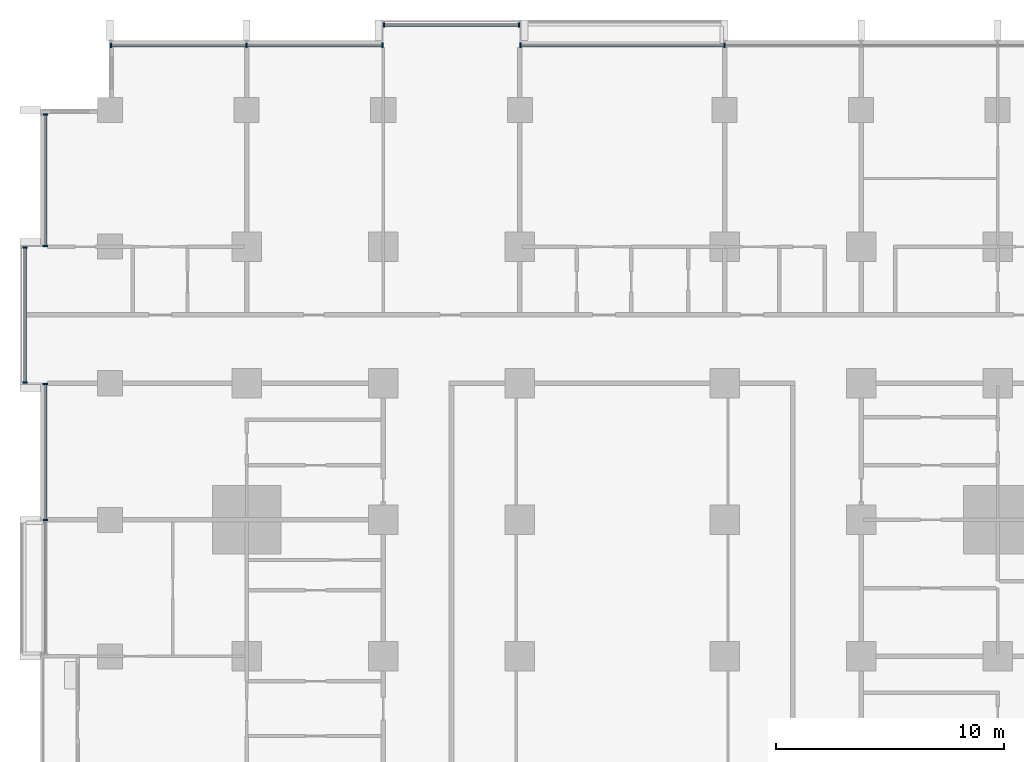
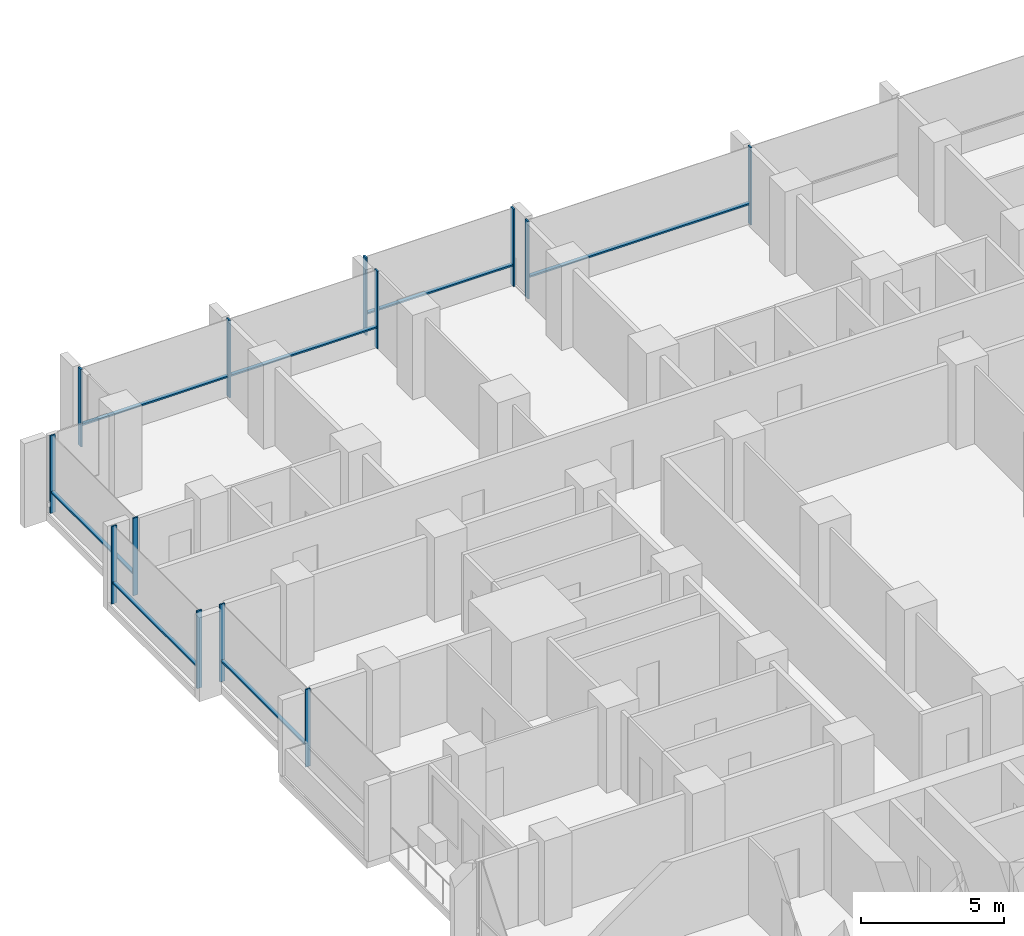
# One storey, part 4 of 18: 20 members, 6 elements without a shape of their own.
"""IFC4 building model written with IfcOpenShell, lengths in metres."""

from ifc_helpers import new_model, si_unit, direction, frame, origin, origin_2d, place, context, subcontext, project, spatial, rectangle, extrude, material, material_profile, profile_set, type_object, element, aggregate, save


model = new_model("IFC4")

# Units and contexts
model_context = context("Model", 3, precision=1e-05, world=origin(), true_north=direction((0.0, 1.0)))
body_context = subcontext(model_context, "Body", "Model", "MODEL_VIEW")
ifc_project = project(units=[si_unit("LENGTHUNIT", "METRE"), si_unit("AREAUNIT", "SQUARE_METRE"), si_unit("VOLUMEUNIT", "CUBIC_METRE"), si_unit("PLANEANGLEUNIT", "RADIAN"), si_unit("MASSUNIT", "GRAM", prefix="KILO")], contexts=[model_context])

# Site, building, storey
site_placement = place(None, origin())
site = spatial("IfcSite", under=ifc_project, at=site_placement, CompositionType="ELEMENT")
building_placement = place(site_placement, origin())
building = spatial("IfcBuilding", under=site, at=building_placement, Name="Finial Court Residences", CompositionType="ELEMENT")
storey_placement = place(building_placement, frame((0.0, 0.0, 36.10009765625)))
storey = spatial("IfcBuildingStorey", under=building, at=storey_placement, Name="L07", CompositionType="ELEMENT", Elevation=36.10009765625)

# Curtain wall, members
ifc_material = material(Name="Bronze anodised aluminium", Category="aluminium")
curtain_wall_type = type_object("IfcCurtainWallType", Name="Unitised curtain wall, lower and middle zones", PredefinedType="NOTDEFINED", material=ifc_material)
curtain_wall_1_placement = place(storey_placement, origin())
curtain_wall_1 = element("IfcCurtainWall", 1, at=curtain_wall_1_placement, inside=storey, type_object=curtain_wall_type, Name="E-L07-CW-N1", PredefinedType="NOTDEFINED")
ifc_material_profile_1 = material_profile(ifc_material, rectangle(XDim=0.199951171875, YDim=0.06494140625, at=origin_2d()), Name="CW1 mullion 65 x 200")
ifc_profile_set_1 = profile_set([ifc_material_profile_1], Name="Bronze anodised aluminium")
member_type_1 = type_object("IfcMemberType", Name="CW1 mullion 65 x 200", PredefinedType="MULLION", material=ifc_profile_set_1)
member_1_placement = place(storey_placement, frame((-22.467529296875, 28.35009765625, 0.0), z_axis=(0.0, 0.0, 1.0), x_axis=(0.0, 1.0, 0.0)))
member_1 = element("IfcMember", 2, at=member_1_placement, type_object=member_type_1, Name="CW1 mullion 1", PredefinedType="MULLION", context=body_context, shape_type="SweptSolid", body=[
    extrude(rectangle(XDim=0.199951171875, YDim=0.06494140625, at=origin_2d()), origin(), (0.0, 0.0, 1.0), 3.2998046875),
])
member_2_placement = place(storey_placement, frame((-16.5, 28.35009765625, 0.0), z_axis=(0.0, 0.0, 1.0), x_axis=(0.0, 1.0, 0.0)))
member_2 = element("IfcMember", 3, at=member_2_placement, type_object=member_type_1, Name="CW1 mullion 2", PredefinedType="MULLION", context=body_context, shape_type="SweptSolid", body=[
    extrude(rectangle(XDim=0.199951171875, YDim=0.06494140625, at=origin_2d()), origin(), (0.0, 0.0, 1.0), 3.2998046875),
])
member_3_placement = place(storey_placement, frame((-10.532470703125, 28.35009765625, 0.0), z_axis=(0.0, 0.0, 1.0), x_axis=(0.0, 1.0, 0.0)))
member_3 = element("IfcMember", 4, at=member_3_placement, type_object=member_type_1, Name="CW1 mullion 3", PredefinedType="MULLION", context=body_context, shape_type="SweptSolid", body=[
    extrude(rectangle(XDim=0.199951171875, YDim=0.06494140625, at=origin_2d()), origin(), (0.0, 0.0, 1.0), 3.2998046875),
])

curtain_wall_2_placement = place(storey_placement, origin())
curtain_wall_2 = element("IfcCurtainWall", 5, at=curtain_wall_2_placement, inside=storey, type_object=curtain_wall_type, Name="E-L07-CW-N2", PredefinedType="NOTDEFINED")
member_4_placement = place(storey_placement, frame((-10.467529296875, 29.25, 0.0), z_axis=(0.0, 0.0, 1.0), x_axis=(0.0, 1.0, 0.0)))
member_4 = element("IfcMember", 6, at=member_4_placement, type_object=member_type_1, Name="CW1 mullion 1", PredefinedType="MULLION", context=body_context, shape_type="SweptSolid", body=[
    extrude(rectangle(XDim=0.199951171875, YDim=0.06494140625, at=origin_2d()), origin(), (0.0, 0.0, 1.0), 3.2998046875),
])
member_5_placement = place(storey_placement, frame((-4.532470703125, 29.25, 0.0), z_axis=(0.0, 0.0, 1.0), x_axis=(0.0, 1.0, 0.0)))
member_5 = element("IfcMember", 7, at=member_5_placement, type_object=member_type_1, Name="CW1 mullion 2", PredefinedType="MULLION", context=body_context, shape_type="SweptSolid", body=[
    extrude(rectangle(XDim=0.199951171875, YDim=0.06494140625, at=origin_2d()), origin(), (0.0, 0.0, 1.0), 3.2998046875),
])

curtain_wall_3_placement = place(storey_placement, origin())
curtain_wall_3 = element("IfcCurtainWall", 8, at=curtain_wall_3_placement, inside=storey, type_object=curtain_wall_type, Name="E-L07-CW-N3", PredefinedType="NOTDEFINED")
member_6_placement = place(storey_placement, frame((-4.467529296875, 28.35009765625, 0.0), z_axis=(0.0, 0.0, 1.0), x_axis=(0.0, 1.0, 0.0)))
member_6 = element("IfcMember", 9, at=member_6_placement, type_object=member_type_1, Name="CW1 mullion 1", PredefinedType="MULLION", context=body_context, shape_type="SweptSolid", body=[
    extrude(rectangle(XDim=0.199951171875, YDim=0.06494140625, at=origin_2d()), origin(), (0.0, 0.0, 1.0), 3.2998046875),
])
member_7_placement = place(storey_placement, frame((4.5, 28.35009765625, 0.0), z_axis=(0.0, 0.0, 1.0), x_axis=(0.0, 1.0, 0.0)))
member_7 = element("IfcMember", 10, at=member_7_placement, type_object=member_type_1, Name="CW1 mullion 2", PredefinedType="MULLION", context=body_context, shape_type="SweptSolid", body=[
    extrude(rectangle(XDim=0.199951171875, YDim=0.06494140625, at=origin_2d()), origin(), (0.0, 0.0, 1.0), 3.2998046875),
])

curtain_wall_4_placement = place(storey_placement, origin())
curtain_wall_4 = element("IfcCurtainWall", 11, at=curtain_wall_4_placement, inside=storey, type_object=curtain_wall_type, Name="E-L07-CW-W11", PredefinedType="NOTDEFINED")
member_8_placement = place(storey_placement, frame((-25.35009765625, 7.5, 0.0), z_axis=(0.0, 0.0, 1.0), x_axis=(-1.0, 0.0, 0.0)))
member_8 = element("IfcMember", 12, at=member_8_placement, type_object=member_type_1, Name="CW1 mullion 2", PredefinedType="MULLION", context=body_context, shape_type="SweptSolid", body=[
    extrude(rectangle(XDim=0.199951171875, YDim=0.06494140625, at=origin_2d()), origin(), (0.0, 0.0, 1.0), 3.2998046875),
])
member_9_placement = place(storey_placement, frame((-25.35009765625, 13.467529296875, 0.0), z_axis=(0.0, 0.0, 1.0), x_axis=(-1.0, 0.0, 0.0)))
member_9 = element("IfcMember", 13, at=member_9_placement, type_object=member_type_1, Name="CW1 mullion 3", PredefinedType="MULLION", context=body_context, shape_type="SweptSolid", body=[
    extrude(rectangle(XDim=0.199951171875, YDim=0.06494140625, at=origin_2d()), origin(), (0.0, 0.0, 1.0), 3.2998046875),
])

curtain_wall_5_placement = place(storey_placement, origin())
curtain_wall_5 = element("IfcCurtainWall", 14, at=curtain_wall_5_placement, inside=storey, type_object=curtain_wall_type, Name="E-L07-CW-W12", PredefinedType="NOTDEFINED")
member_10_placement = place(storey_placement, frame((-26.25, 13.532470703125, 0.0), z_axis=(0.0, 0.0, 1.0), x_axis=(-1.0, 0.0, 0.0)))
member_10 = element("IfcMember", 15, at=member_10_placement, type_object=member_type_1, Name="CW1 mullion 1", PredefinedType="MULLION", context=body_context, shape_type="SweptSolid", body=[
    extrude(rectangle(XDim=0.199951171875, YDim=0.06494140625, at=origin_2d()), origin(), (0.0, 0.0, 1.0), 3.2998046875),
])
member_11_placement = place(storey_placement, frame((-26.25, 19.467529296875, 0.0), z_axis=(0.0, 0.0, 1.0), x_axis=(-1.0, 0.0, 0.0)))
member_11 = element("IfcMember", 16, at=member_11_placement, type_object=member_type_1, Name="CW1 mullion 2", PredefinedType="MULLION", context=body_context, shape_type="SweptSolid", body=[
    extrude(rectangle(XDim=0.199951171875, YDim=0.06494140625, at=origin_2d()), origin(), (0.0, 0.0, 1.0), 3.2998046875),
])

curtain_wall_6_placement = place(storey_placement, origin())
curtain_wall_6 = element("IfcCurtainWall", 17, at=curtain_wall_6_placement, inside=storey, type_object=curtain_wall_type, Name="E-L07-CW-W13", PredefinedType="NOTDEFINED")
member_12_placement = place(storey_placement, frame((-25.35009765625, 19.532470703125, 0.0), z_axis=(0.0, 0.0, 1.0), x_axis=(-1.0, 0.0, 0.0)))
member_12 = element("IfcMember", 18, at=member_12_placement, type_object=member_type_1, Name="CW1 mullion 1", PredefinedType="MULLION", context=body_context, shape_type="SweptSolid", body=[
    extrude(rectangle(XDim=0.199951171875, YDim=0.06494140625, at=origin_2d()), origin(), (0.0, 0.0, 1.0), 3.2998046875),
])
member_13_placement = place(storey_placement, frame((-25.35009765625, 25.3173828125, 0.0), z_axis=(0.0, 0.0, 1.0), x_axis=(-1.0, 0.0, 0.0)))
member_13 = element("IfcMember", 19, at=member_13_placement, type_object=member_type_1, Name="CW1 mullion 2", PredefinedType="MULLION", context=body_context, shape_type="SweptSolid", body=[
    extrude(rectangle(XDim=0.199951171875, YDim=0.06494140625, at=origin_2d()), origin(), (0.0, 0.0, 1.0), 3.2998046875),
])

# Member
ifc_material_profile_2 = material_profile(ifc_material, rectangle(XDim=0.14990234375, YDim=0.06494140625, at=origin_2d()), Name="CW1 transom 65 x 150")
ifc_profile_set_2 = profile_set([ifc_material_profile_2], Name="Bronze anodised aluminium")
member_type_2 = type_object("IfcMemberType", Name="CW1 transom 65 x 150", PredefinedType="USERDEFINED", material=ifc_profile_set_2)
member_14_placement = place(storey_placement, frame((-22.43505859375, 28.35009765625, 0.89990234375), z_axis=(1.0, 0.0, 0.0), x_axis=(0.0, 1.0, 0.0)))
member_14 = element("IfcMember", 20, at=member_14_placement, type_object=member_type_2, Name="CW1 transom 1.1", ObjectType="TRANSOM", PredefinedType="USERDEFINED", context=body_context, shape_type="SweptSolid", body=[
    extrude(rectangle(XDim=0.14990234375, YDim=0.06494140625, at=origin_2d()), origin(), (0.0, 0.0, 1.0), 5.902587890625),
])

member_15_placement = place(storey_placement, frame((-16.467529296875, 28.35009765625, 0.89990234375), z_axis=(1.0, 0.0, 0.0), x_axis=(0.0, 1.0, 0.0)))
member_15 = element("IfcMember", 21, at=member_15_placement, type_object=member_type_2, Name="CW1 transom 2.1", ObjectType="TRANSOM", PredefinedType="USERDEFINED", context=body_context, shape_type="SweptSolid", body=[
    extrude(rectangle(XDim=0.14990234375, YDim=0.06494140625, at=origin_2d()), origin(), (0.0, 0.0, 1.0), 5.902587890625),
])

aggregate(curtain_wall_1, [member_1, member_2, member_3, member_14, member_15])

member_16_placement = place(storey_placement, frame((-10.43505859375, 29.25, 0.89990234375), z_axis=(1.0, 0.0, 0.0), x_axis=(0.0, 1.0, 0.0)))
member_16 = element("IfcMember", 22, at=member_16_placement, type_object=member_type_2, Name="CW1 transom 1.1", ObjectType="TRANSOM", PredefinedType="USERDEFINED", context=body_context, shape_type="SweptSolid", body=[
    extrude(rectangle(XDim=0.14990234375, YDim=0.06494140625, at=origin_2d()), origin(), (0.0, 0.0, 1.0), 5.8701171875),
])

aggregate(curtain_wall_2, [member_4, member_5, member_16])

member_17_placement = place(storey_placement, frame((-4.43505859375, 28.35009765625, 0.89990234375), z_axis=(1.0, 0.0, 0.0), x_axis=(0.0, 1.0, 0.0)))
member_17 = element("IfcMember", 23, at=member_17_placement, type_object=member_type_2, Name="CW1 transom 1.1", ObjectType="TRANSOM", PredefinedType="USERDEFINED", context=body_context, shape_type="SweptSolid", body=[
    extrude(rectangle(XDim=0.14990234375, YDim=0.06494140625, at=origin_2d()), origin(), (0.0, 0.0, 1.0), 8.902587890625),
])

aggregate(curtain_wall_3, [member_6, member_7, member_17])

member_18_placement = place(storey_placement, frame((-25.35009765625, 7.532470703125, 0.89990234375), z_axis=(0.0, 1.0, 0.0), x_axis=(-1.0, 0.0, 0.0)))
member_18 = element("IfcMember", 24, at=member_18_placement, type_object=member_type_2, Name="CW1 transom 2.1", ObjectType="TRANSOM", PredefinedType="USERDEFINED", context=body_context, shape_type="SweptSolid", body=[
    extrude(rectangle(XDim=0.14990234375, YDim=0.06494140625, at=origin_2d()), origin(), (0.0, 0.0, 1.0), 5.902587890625),
])

aggregate(curtain_wall_4, [member_8, member_9, member_18])

member_19_placement = place(storey_placement, frame((-26.25, 13.56494140625, 0.89990234375), z_axis=(0.0, 1.0, 0.0), x_axis=(-1.0, 0.0, 0.0)))
member_19 = element("IfcMember", 25, at=member_19_placement, type_object=member_type_2, Name="CW1 transom 1.1", ObjectType="TRANSOM", PredefinedType="USERDEFINED", context=body_context, shape_type="SweptSolid", body=[
    extrude(rectangle(XDim=0.14990234375, YDim=0.06494140625, at=origin_2d()), origin(), (0.0, 0.0, 1.0), 5.8701171875),
])

aggregate(curtain_wall_5, [member_10, member_11, member_19])

member_20_placement = place(storey_placement, frame((-25.35009765625, 19.56494140625, 0.89990234375), z_axis=(0.0, 1.0, 0.0), x_axis=(-1.0, 0.0, 0.0)))
member_20 = element("IfcMember", 26, at=member_20_placement, type_object=member_type_2, Name="CW1 transom 1.1", ObjectType="TRANSOM", PredefinedType="USERDEFINED", context=body_context, shape_type="SweptSolid", body=[
    extrude(rectangle(XDim=0.14990234375, YDim=0.06494140625, at=origin_2d()), origin(), (0.0, 0.0, 1.0), 5.719970703125),
])

aggregate(curtain_wall_6, [member_12, member_13, member_20])

save(model, "model.ifc")
